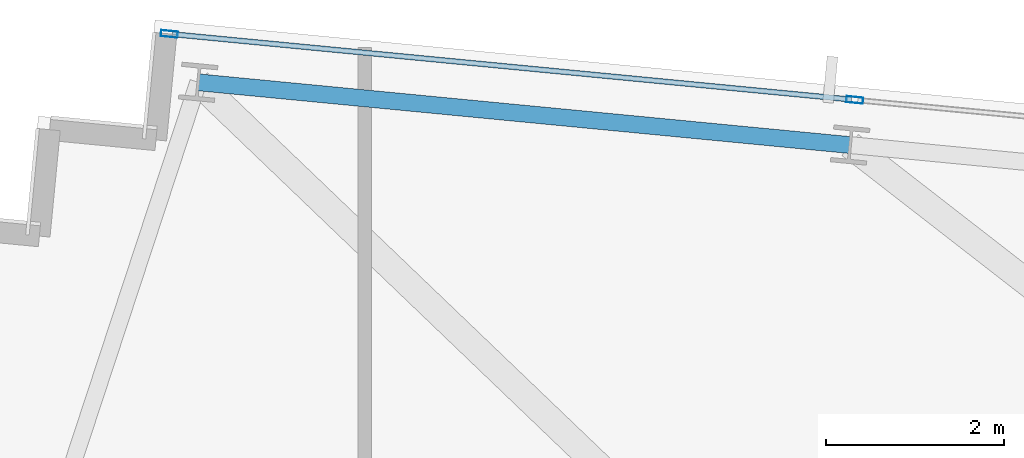
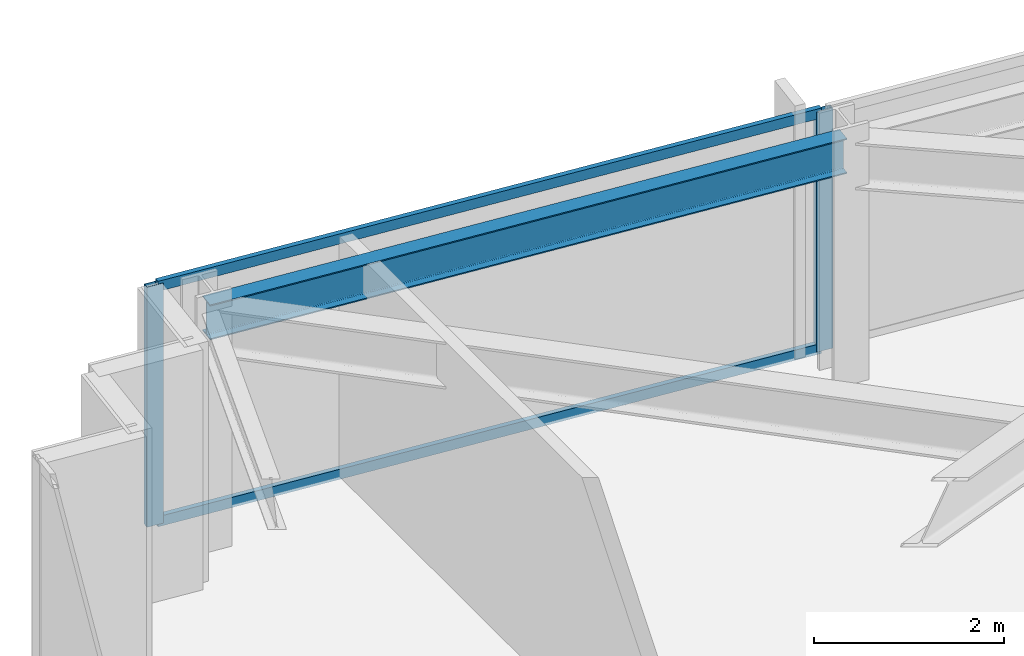
# One storey, part 23 of 38: 4 members, 1 beam, 1 element without a shape of its own.
"""IFC4 building model written with IfcOpenShell, lengths in metres."""

from ifc_helpers import new_model, si_unit, direction, frame, origin, origin_2d, place, context, subcontext, project, spatial, hollow_rectangle, i_section, extrude, material, material_profile, profile_set, type_object, element, aggregate, save


model = new_model("IFC4")

# Units and contexts
model_context = context("Model", 3, precision=1e-05, world=origin(), true_north=direction((0.0, 1.0)))
body_context = subcontext(model_context, "Body", "Model", "MODEL_VIEW")
ifc_project = project(units=[si_unit("LENGTHUNIT", "METRE"), si_unit("AREAUNIT", "SQUARE_METRE"), si_unit("VOLUMEUNIT", "CUBIC_METRE"), si_unit("PLANEANGLEUNIT", "RADIAN"), si_unit("MASSUNIT", "GRAM", prefix="KILO")], contexts=[model_context])

# Site, building, storey
site_placement = place(None, origin())
site = spatial("IfcSite", under=ifc_project, at=site_placement, CompositionType="ELEMENT")
building_placement = place(site_placement, origin())
building = spatial("IfcBuilding", under=site, at=building_placement, Name="Yelkora Congress Tower", CompositionType="ELEMENT")
storey_placement = place(building_placement, frame((0.0, 0.0, 178.699951171875)))
storey = spatial("IfcBuildingStorey", under=building, at=storey_placement, Name="L49", CompositionType="ELEMENT", Elevation=178.699951171875)

# Beam
ifc_material_1 = material(Name="Steel S355J2", Category="steel")
ifc_material_profile_1 = material_profile(ifc_material_1, i_section(OverallWidth=0.18994140625, OverallDepth=0.449951171875, WebThickness=0.009521484375, FlangeThickness=0.0146484375, FilletRadius=0.02099609375, at=origin_2d()), Name="IPE 450")
ifc_profile_set_1 = profile_set([ifc_material_profile_1], Name="Steel S355J2")
beam_type = type_object("IfcBeamType", Name="BM-SPAN-IPE450", PredefinedType="SPANDREL", material=ifc_profile_set_1)
beam_placement = place(storey_placement, frame((14.712158203125, 49.685546875, 2.85498046875), z_axis=(-0.995397104697, 0.095836339457, 0.0), x_axis=(-0.095836339457, -0.995397104697, 0.0)))
element("IfcBeam", 1, at=beam_placement, inside=storey, type_object=beam_type, Name="L49 Perimeter Beam 15", PredefinedType="SPANDREL", context=body_context, shape_type="SweptSolid", body=[
    extrude(i_section(OverallWidth=0.18994140625, OverallDepth=0.449951171875, WebThickness=0.009521484375, FlangeThickness=0.0146484375, FilletRadius=0.02099609375, at=origin_2d()), origin(), (0.0, 0.0, 1.0), 7.357177734375),
])

# Curtain wall, members
ifc_material_2 = material(Name="Anodised aluminium and insulated glass", Category="aluminium")
curtain_wall_type = type_object("IfcCurtainWallType", Name="CW-SYS-B3", PredefinedType="NOTDEFINED", material=ifc_material_2)
curtain_wall_placement = place(storey_placement, origin())
curtain_wall = element("IfcCurtainWall", 2, at=curtain_wall_placement, inside=storey, type_object=curtain_wall_type, Name="L49 Unitised Curtain Wall 10 (1)", PredefinedType="NOTDEFINED")
ifc_material_3 = material(Name="Anodised aluminium 6063-T6", Category="aluminium")
ifc_material_profile_2 = material_profile(ifc_material_3, hollow_rectangle(XDim=0.070068359375, YDim=0.18994140625, WallThickness=0.00390625, at=origin_2d()), Name="ALU 70x190x4")
ifc_profile_set_2 = profile_set([ifc_material_profile_2], Name="Anodised aluminium 6063-T6")
member_type_1 = type_object("IfcMemberType", Name="MEM-ML-B3", PredefinedType="MULLION", material=ifc_profile_set_2)
member_1_placement = place(storey_placement, frame((7.064453125, 50.934326171875, 0.0), z_axis=(0.0, 0.0, 1.0), x_axis=(0.095844761168, 0.995396293823, 0.0)))
member_1 = element("IfcMember", 3, at=member_1_placement, type_object=member_type_1, Name="CW-B3 mullion 1", PredefinedType="MULLION", context=body_context, shape_type="SweptSolid", body=[
    extrude(hollow_rectangle(XDim=0.070068359375, YDim=0.18994140625, WallThickness=0.00390625, at=origin_2d()), origin(), (0.0, 0.0, 1.0), 3.080078125),
])
member_2_placement = place(storey_placement, frame((14.76318359375, 50.19287109375, 0.0), z_axis=(0.0, 0.0, 1.0), x_axis=(0.095844761168, 0.995396293823, 0.0)))
member_2 = element("IfcMember", 4, at=member_2_placement, type_object=member_type_1, Name="CW-B3 mullion 2", PredefinedType="MULLION", context=body_context, shape_type="SweptSolid", body=[
    extrude(hollow_rectangle(XDim=0.070068359375, YDim=0.18994140625, WallThickness=0.00390625, at=origin_2d()), origin(), (0.0, 0.0, 1.0), 3.080078125),
])
ifc_material_profile_3 = material_profile(ifc_material_3, hollow_rectangle(XDim=0.06005859375, YDim=0.1298828125, WallThickness=0.00390625, at=origin_2d()), Name="ALU 60x130x4")
ifc_profile_set_3 = profile_set([ifc_material_profile_3], Name="Anodised aluminium 6063-T6")
member_type_2 = type_object("IfcMemberType", Name="MEM-TR-B3", PredefinedType="USERDEFINED", material=ifc_profile_set_3)
member_3_placement = place(storey_placement, frame((7.099365234375, 50.930908203125, 0.030029296875), z_axis=(0.995395712642, -0.09585079683, 0.0), x_axis=(0.09585079683, 0.995395712642, 0.0)))
member_3 = element("IfcMember", 5, at=member_3_placement, type_object=member_type_2, Name="CW-B3 transom 1.1", ObjectType="TRANSOM", PredefinedType="USERDEFINED", context=body_context, shape_type="SweptSolid", body=[
    extrude(hollow_rectangle(XDim=0.06005859375, YDim=0.1298828125, WallThickness=0.00390625, at=origin_2d()), origin(), (0.0, 0.0, 1.0), 7.664306640625),
])
member_4_placement = place(storey_placement, frame((7.099365234375, 50.930908203125, 3.050048828125), z_axis=(0.995395712642, -0.09585079683, 0.0), x_axis=(0.09585079683, 0.995395712642, 0.0)))
member_4 = element("IfcMember", 6, at=member_4_placement, type_object=member_type_2, Name="CW-B3 transom 1.2", ObjectType="TRANSOM", PredefinedType="USERDEFINED", context=body_context, shape_type="SweptSolid", body=[
    extrude(hollow_rectangle(XDim=0.06005859375, YDim=0.1298828125, WallThickness=0.00390625, at=origin_2d()), origin(), (0.0, 0.0, 1.0), 7.664306640625),
])
aggregate(curtain_wall, [member_1, member_2, member_3, member_4])

save(model, "model.ifc")
